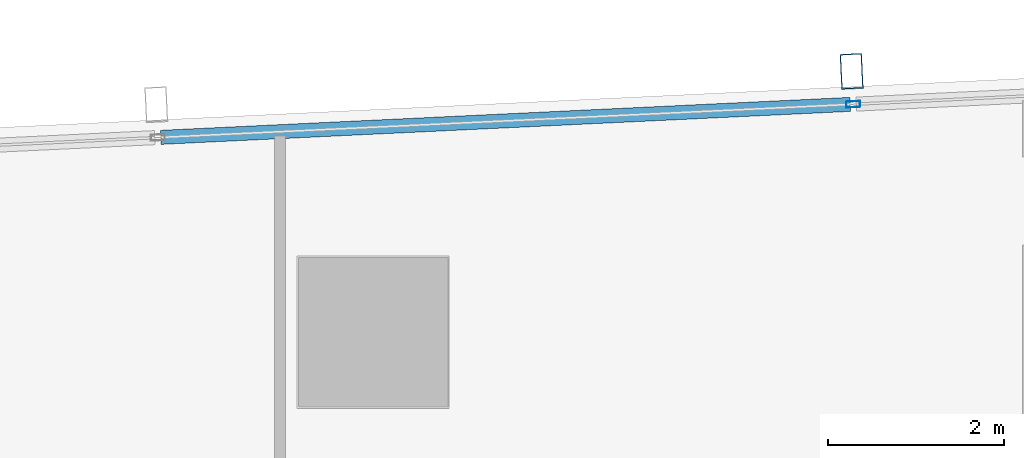
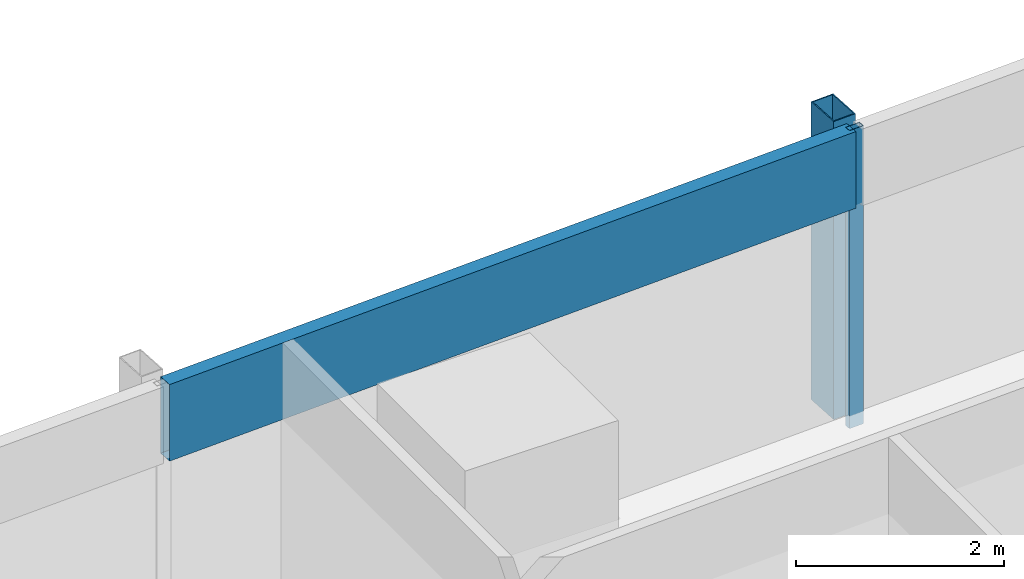
# One storey, part 19 of 39: 3 members, 1 element without a shape of its own.
"""IFC4 building model written with IfcOpenShell, lengths in metres."""

from ifc_helpers import new_model, si_unit, direction, frame, origin, origin_2d, place, context, subcontext, project, spatial, hollow_rectangle, extrude, material, material_profile, profile_set, type_object, element, aggregate, save


model = new_model("IFC4")

# Units and contexts
model_context = context("Model", 3, precision=1e-05, world=origin(), true_north=direction((0.0, 1.0)))
body_context = subcontext(model_context, "Body", "Model", "MODEL_VIEW")
ifc_project = project(units=[si_unit("LENGTHUNIT", "METRE"), si_unit("AREAUNIT", "SQUARE_METRE"), si_unit("VOLUMEUNIT", "CUBIC_METRE"), si_unit("PLANEANGLEUNIT", "RADIAN"), si_unit("MASSUNIT", "GRAM", prefix="KILO")], contexts=[model_context])

# Site, building, storey
site_placement = place(None, origin())
site = spatial("IfcSite", under=ifc_project, at=site_placement, CompositionType="ELEMENT")
building_placement = place(site_placement, origin())
building = spatial("IfcBuilding", under=site, at=building_placement, Name="Rekha Terrace Tower", CompositionType="ELEMENT")
storey_placement = place(building_placement, frame((0.0, 0.0, 180.199951171875)))
storey = spatial("IfcBuildingStorey", under=building, at=storey_placement, Name="L45", CompositionType="ELEMENT", Elevation=180.199951171875)

# Curtain wall, members
ifc_material_1 = material(Name="Aluminium framing", Category="aluminium")
curtain_wall_type = type_object("IfcCurtainWallType", Name="CW3 north unitised glazing", PredefinedType="USERDEFINED", material=ifc_material_1)
curtain_wall_placement = place(storey_placement, origin())
curtain_wall = element("IfcCurtainWall", 1, at=curtain_wall_placement, inside=storey, type_object=curtain_wall_type, Name="CW3 unitised curtain wall", ObjectType="UNITISED CURTAIN WALL", PredefinedType="USERDEFINED")
ifc_material_2 = material(Name="Steel S355 with fluorocarbon finish", Category="steel")
ifc_material_profile_1 = material_profile(ifc_material_2, hollow_rectangle(XDim=0.25, YDim=0.39990234375, WallThickness=0.012451171875, at=origin_2d()), Name="RHS400x250x12.5")
ifc_profile_set_1 = profile_set([ifc_material_profile_1], Name="Steel S355 with fluorocarbon finish")
member_type_1 = type_object("IfcMemberType", Name="BL1 facade blade RHS 400 x 250", PredefinedType="USERDEFINED", material=ifc_profile_set_1)
member_1_placement = place(storey_placement, frame((30.643310546875, 61.767578125, 0.0), z_axis=(0.0, 0.0, 1.0), x_axis=(-0.998858913274, -0.04775846913, 0.0)))
member_1 = element("IfcMember", 2, at=member_1_placement, type_object=member_type_1, Name="Facade blade", ObjectType="FACADE BLADE", PredefinedType="USERDEFINED", context=body_context, shape_type="SweptSolid", body=[
    extrude(hollow_rectangle(XDim=0.25, YDim=0.39990234375, WallThickness=0.012451171875, at=origin_2d()), origin(), (0.0, 0.0, 1.0), 3.5),
])
ifc_material_3 = material(Name="Aluminium mullion section", Category="aluminium")
ifc_material_profile_2 = material_profile(ifc_material_3, hollow_rectangle(XDim=0.070068359375, YDim=0.159912109375, WallThickness=0.00390625, at=origin_2d()), Name="AL RHS 70x160")
ifc_profile_set_2 = profile_set([ifc_material_profile_2], Name="Aluminium mullion section")
member_type_2 = type_object("IfcMemberType", Name="CW3 mullion RHS 70 x 160", PredefinedType="MULLION", material=ifc_profile_set_2)
member_2_placement = place(storey_placement, frame((30.6611328125, 61.39306640625, 0.0), z_axis=(0.0, 0.0, 1.0), x_axis=(0.047758616983, -0.998858906204, 0.0)))
member_2 = element("IfcMember", 3, at=member_2_placement, type_object=member_type_2, Name="CW3 mullion 3", PredefinedType="MULLION", context=body_context, shape_type="SweptSolid", body=[
    extrude(hollow_rectangle(XDim=0.070068359375, YDim=0.159912109375, WallThickness=0.00390625, at=origin_2d()), origin(), (0.0, 0.0, 1.0), 3.5),
])
ifc_material_4 = material(Name="Insulated aluminium spandrel box", Category="aluminium")
ifc_material_profile_3 = material_profile(ifc_material_4, hollow_rectangle(XDim=0.159912109375, YDim=0.89990234375, WallThickness=0.0029296875, at=origin_2d()), Name="AL SPANDREL BOX 160x900")
ifc_profile_set_3 = profile_set([ifc_material_profile_3], Name="Insulated aluminium spandrel box")
member_type_3 = type_object("IfcMemberType", Name="CW3 spandrel transom 160 x 900", PredefinedType="USERDEFINED", material=ifc_profile_set_3)
member_3_placement = place(storey_placement, frame((30.626220703125, 61.391357421875, 3.050048828125), z_axis=(-0.998859323292, -0.047749892907, 0.0), x_axis=(0.047749892907, -0.998859323292, 0.0)))
member_3 = element("IfcMember", 4, at=member_3_placement, type_object=member_type_3, Name="CW3 spandrel transom 3", ObjectType="TRANSOM", PredefinedType="USERDEFINED", context=body_context, shape_type="SweptSolid", body=[
    extrude(hollow_rectangle(XDim=0.159912109375, YDim=0.89990234375, WallThickness=0.0029296875, at=origin_2d()), origin(), (0.0, 0.0, 1.0), 7.848388671875),
])
aggregate(curtain_wall, [member_2, member_3, member_1])

save(model, "model.ifc")
